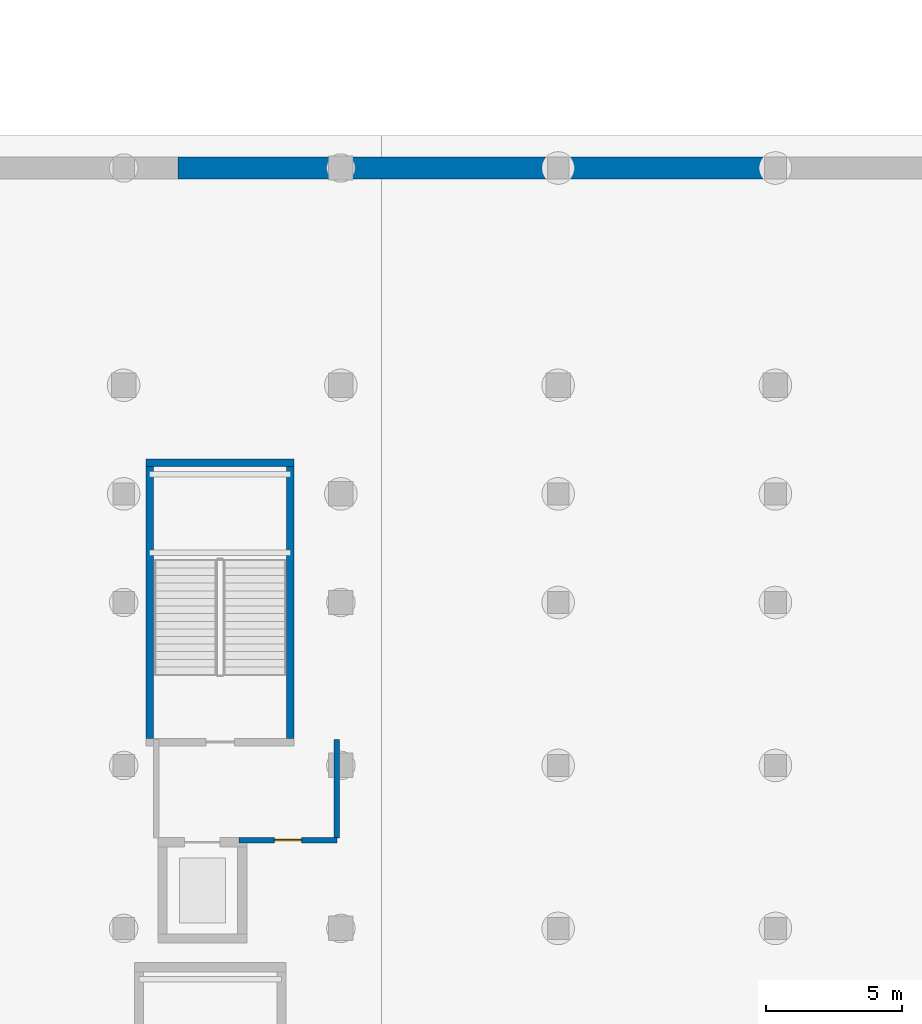
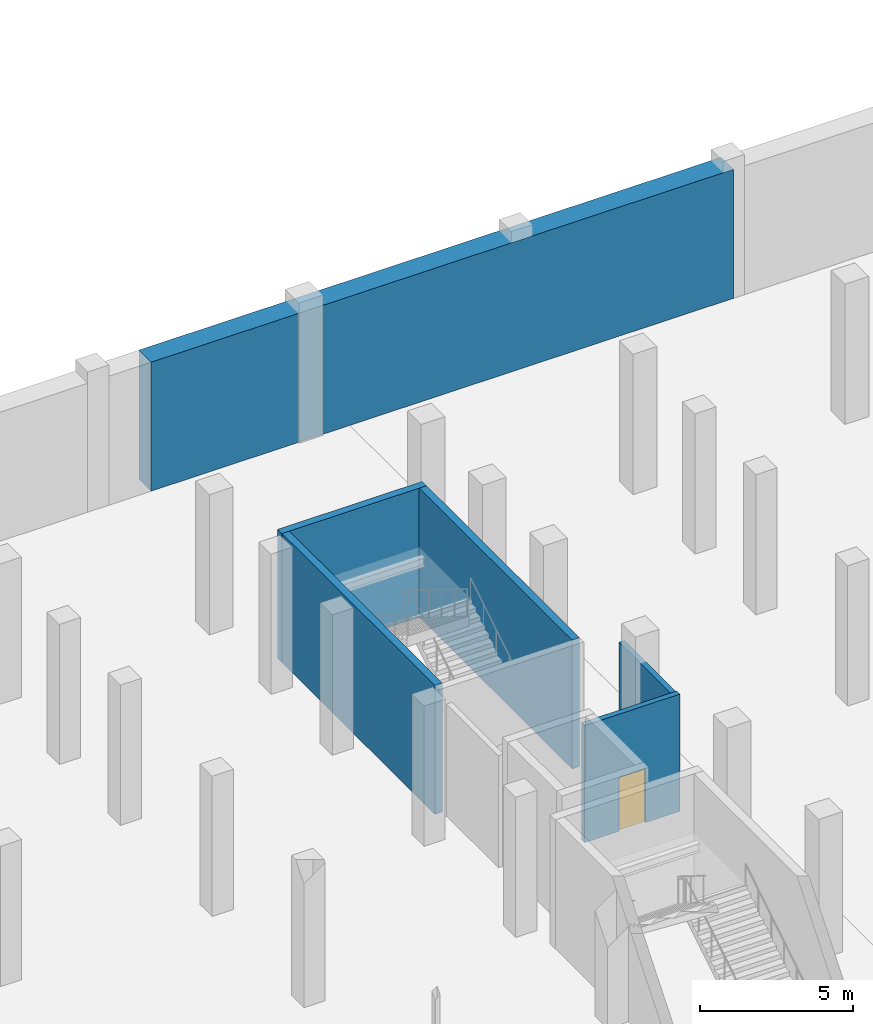
# One storey, part 15 of 26: 6 walls, 1 door, 1 opening.
"""IFC4 building model written with IfcOpenShell, lengths in metres."""

from ifc_helpers import new_model, si_unit, direction, frame, frame_2d, origin, place, context, subcontext, project, spatial, rectangle, extrude, material, layer, layer_set, type_object, element, fill, save


model = new_model("IFC4")

# Units and contexts
model_context = context("Model", 3, precision=1e-05, world=origin(), true_north=direction((0.0, 1.0)))
body_context = subcontext(model_context, "Body", "Model", "MODEL_VIEW")
ifc_project = project(units=[si_unit("LENGTHUNIT", "METRE"), si_unit("AREAUNIT", "SQUARE_METRE"), si_unit("VOLUMEUNIT", "CUBIC_METRE"), si_unit("PLANEANGLEUNIT", "RADIAN"), si_unit("MASSUNIT", "GRAM", prefix="KILO")], contexts=[model_context])

# Site, building, storey
site_placement = place(None, origin())
site = spatial("IfcSite", under=ifc_project, at=site_placement, CompositionType="ELEMENT")
building_placement = place(site_placement, origin())
building = spatial("IfcBuilding", under=site, at=building_placement, Name="Verrall Gate Interchange", CompositionType="ELEMENT")
storey_placement = place(building_placement, frame((0.0, 0.0, -10.39990234375)))
storey = spatial("IfcBuildingStorey", under=building, at=storey_placement, Name="B2", CompositionType="ELEMENT", Elevation=-10.39990234375)

# Wall, opening, door
ifc_material_1 = material(Name="Fire-Rated Type X Gypsum Stud Partition Assembly (60 min)", Category="gypsum")
ifc_layer_1 = layer(ifc_material_1, 0.199951171875)
ifc_layer_set_1 = layer_set([ifc_layer_1], Name="Fire-Rated Type X Gypsum Stud Partition Assembly (60 min)")
wall_type_1 = type_object("IfcWallType", Name="IW-01 Interior Partition Wall 200", PredefinedType="PARTITIONING", material=ifc_layer_set_1)
wall_1_placement = place(storey_placement, frame((104.25, 31.25, 0.0), z_axis=(0.0, 0.0, 1.0), x_axis=(1.0, 0.0, 0.0)))
wall_1 = element("IfcWall", 1, at=wall_1_placement, inside=storey, type_object=wall_type_1, Name="B2 Core C7 Lobby South Rated Wall", PredefinedType="PARTITIONING", context=body_context, shape_type="SweptSolid", body=[
    extrude(rectangle(XDim=3.60009765625, YDim=0.199951171875, at=frame_2d((1.800048828125, 0.0))), origin(), (0.0, 0.0, 1.0), 4.679931640625),
])
opening_placement = place(wall_1_placement, frame((1.300048828125, 0.0, 0.0)))
opening = element("IfcOpeningElement", 2, at=opening_placement, cuts=wall_1, Name="Opening LBD083", PredefinedType="OPENING", context=body_context, shape_type="SweptSolid", body=[
    extrude(rectangle(XDim=1.0, YDim=2.14990234375, at=frame_2d((0.5, 1.074951171875))), frame((0.0, 0.11474609375, 0.0), z_axis=(0.0, -1.0, 0.0), x_axis=(1.0, 0.0, 0.0)), (0.0, 0.0, 1.0), 0.229736328125),
])
ifc_material_2 = material(Name="Hollow-Metal Fire-Rated Door Assembly", Category="metal")
door_type = type_object("IfcDoorType", Name="ID-05 Interior Swing Door 1000x2150", OperationType="NOTDEFINED", PredefinedType="DOOR", material=ifc_material_2)
door_placement = place(opening_placement, origin())
door = element("IfcDoor", 3, at=door_placement, inside=storey, type_object=door_type, Name="B2 Core C7 Lobby Fire Door LBD083", OperationType="SINGLE_SWING_LEFT", OverallHeight=2.14990234375, OverallWidth=1.0, PredefinedType="DOOR", context=body_context, shape_type="SweptSolid", body=[
    extrude(rectangle(XDim=1.0, YDim=2.14990234375, at=frame_2d((0.5, 1.074951171875))), frame((0.0, 0.02490234375, 0.0), z_axis=(0.0, -1.0, 0.0), x_axis=(1.0, 0.0, 0.0)), (0.0, 0.0, 1.0), 0.050048828125),
])
fill(opening, door)

# Walls
wall_2_placement = place(storey_placement, frame((107.85009765625, 31.330078125, 0.0), z_axis=(0.0, 0.0, 1.0), x_axis=(0.0, 1.0, 0.0)))
element("IfcWall", 4, at=wall_2_placement, inside=storey, type_object=wall_type_1, Name="B2 Core C7 Lobby East Rated Wall", PredefinedType="PARTITIONING", context=body_context, shape_type="SweptSolid", body=[
    extrude(rectangle(XDim=3.619873046875, YDim=0.199951171875, at=frame_2d((1.81005859375, 0.0))), origin(), (0.0, 0.0, 1.0), 4.47998046875),
])
ifc_material_3 = material(Name="Concrete CSA A23.1 35 MPa (Class S-2)", Category="concrete")
ifc_layer_2 = layer(ifc_material_3, 0.800048828125)
ifc_layer_set_2 = layer_set([ifc_layer_2], Name="Concrete CSA A23.1 35 MPa (Class S-2)")
wall_type_2 = type_object("IfcWallType", Name="RW-01 Diaphragm Retaining Wall 800", PredefinedType="USERDEFINED", material=ifc_layer_set_2)
wall_3_placement = place(storey_placement, frame((124.0, 56.0, 0.0), z_axis=(0.0, 0.0, 1.0), x_axis=(-1.0, 0.0, 0.0)))
element("IfcWall", 5, at=wall_3_placement, inside=storey, type_object=wall_type_2, Name="B2 Diaphragm Retaining Wall 013", ObjectType="RETAININGWALL", PredefinedType="USERDEFINED", context=body_context, shape_type="SweptSolid", body=[
    extrude(rectangle(XDim=22.0, YDim=0.800048828125, at=frame_2d((11.0, 0.0))), origin(), (0.0, 0.0, 1.0), 5.14990234375),
])
ifc_material_4 = material(Name="Concrete CSA A23.1 40 MPa (Class N)", Category="concrete")
ifc_layer_3 = layer(ifc_material_4, 0.280029296875)
ifc_layer_set_3 = layer_set([ifc_layer_3], Name="Concrete CSA A23.1 40 MPa (Class N)")
wall_type_3 = type_object("IfcWallType", Name="SW-03 Core Shear Wall 280", PredefinedType="SHEAR", material=ifc_layer_set_3)
wall_4_placement = place(storey_placement, frame((106.280029296875, 45.139892578125, 0.0), z_axis=(0.0, 0.0, 1.0), x_axis=(-1.0, 0.0, 0.0)))
element("IfcWall", 6, at=wall_4_placement, inside=storey, type_object=wall_type_3, Name="B2 Core C7 North Shear Wall", PredefinedType="SHEAR", context=body_context, shape_type="SweptSolid", body=[
    extrude(rectangle(XDim=5.4599609375, YDim=0.280029296875, at=frame_2d((2.72998046875, 0.0))), origin(), (0.0, 0.0, 1.0), 5.14990234375),
])
for number, where, z_axis, x_axis, name in (
    (7, (100.9599609375, 45.0, 0.0), (0.0, 0.0, 1.0), (0.0, -1.0, 0.0), "B2 Core C7 West Shear Wall"),
    (8, (106.139892578125, 35.0, 0.0), (0.0, 0.0, 1.0), (0.0, 1.0, 0.0), "B2 Core C7 East Shear Wall"),
):
    element("IfcWall", number, at=place(storey_placement, frame(where, z_axis=z_axis, x_axis=x_axis)), inside=storey, type_object=wall_type_3, Name=name, PredefinedType="SHEAR", context=body_context, shape_type="SweptSolid", body=[
        extrude(rectangle(XDim=10.0, YDim=0.280029296875, at=frame_2d((5.0, 0.0))), origin(), (0.0, 0.0, 1.0), 5.14990234375),
    ])

save(model, "model.ifc")
